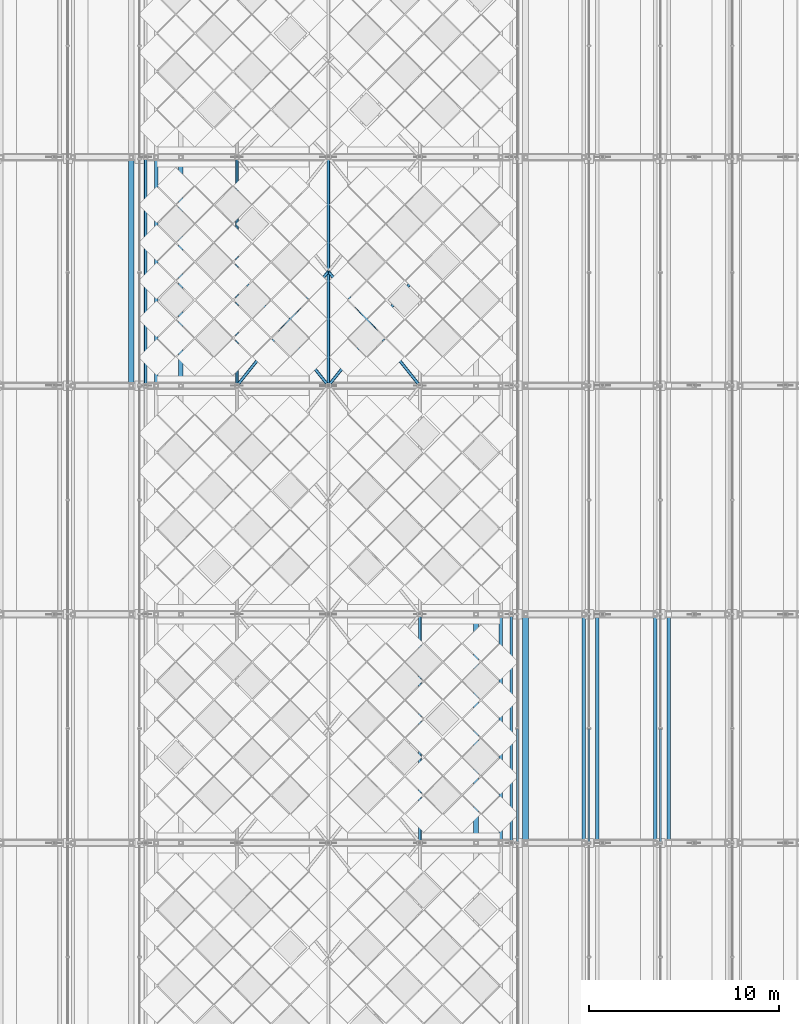
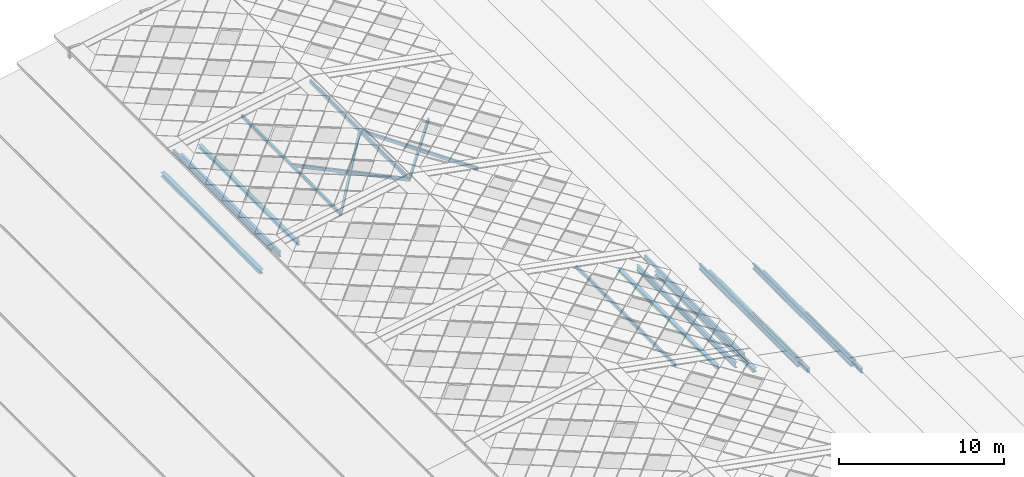
# One storey, part 26 of 117: 25 members, 3 elements without a shape of their own.
"""IFC4 building model written with IfcOpenShell, lengths in metres."""

from ifc_helpers import new_model, si_unit, direction, frame, origin, origin_2d, place, context, subcontext, project, spatial, hollow_rectangle, i_section, extrude, material, material_profile, profile_set, type_object, element, aggregate, save


model = new_model("IFC4")

# Units and contexts
model_context = context("Model", 3, precision=1e-05, world=origin(), true_north=direction((0.0, 1.0)))
body_context = subcontext(model_context, "Body", "Model", "MODEL_VIEW")
ifc_project = project(units=[si_unit("LENGTHUNIT", "METRE"), si_unit("AREAUNIT", "SQUARE_METRE"), si_unit("VOLUMEUNIT", "CUBIC_METRE"), si_unit("PLANEANGLEUNIT", "RADIAN"), si_unit("MASSUNIT", "GRAM", prefix="KILO")], contexts=[model_context])

# Site, building, storey
site_placement = place(None, origin())
site = spatial("IfcSite", under=ifc_project, at=site_placement, CompositionType="ELEMENT")
building_placement = place(site_placement, origin())
building = spatial("IfcBuilding", under=site, at=building_placement, Name="Merenkruunu Market Hall", CompositionType="ELEMENT")
storey_placement = place(building_placement, frame((0.0, 0.0, 22.800048828125)))
storey = spatial("IfcBuildingStorey", under=building, at=storey_placement, Name="RF", CompositionType="ELEMENT", Elevation=22.800048828125)

# Curtain wall, members
ifc_material_1 = material(Name="Powder-coated aluminium", Category="aluminium")
curtain_wall_type = type_object("IfcCurtainWallType", Name="Clerestory Curtain Band CL05", PredefinedType="USERDEFINED", material=ifc_material_1)
curtain_wall_1_placement = place(storey_placement, origin())
curtain_wall_1 = element("IfcCurtainWall", 1, at=curtain_wall_1_placement, inside=storey, type_object=curtain_wall_type, Name="CW-RF-CWM04-102", ObjectType="CLERESTORY_BAND", PredefinedType="USERDEFINED")
ifc_material_profile_1 = material_profile(ifc_material_1, hollow_rectangle(XDim=0.06005859375, YDim=0.110107421875, WallThickness=0.00390625, at=origin_2d()), Name="ALU 60x110x4")
ifc_profile_set_1 = profile_set([ifc_material_profile_1], Name="Powder-coated aluminium")
member_type_1 = type_object("IfcMemberType", Name="Curtain Wall Transom CWT03", PredefinedType="USERDEFINED", material=ifc_profile_set_1)
member_1_placement = place(storey_placement, frame((46.239990234375, 69.56494140625, -3.85205078125), z_axis=(0.0, -1.0, 0.0), x_axis=(0.0, 0.0, 1.0)))
member_1 = element("IfcMember", 2, at=member_1_placement, type_object=member_type_1, Name="CL05 transom 4.1", ObjectType="TRANSOM", PredefinedType="USERDEFINED", context=body_context, shape_type="SweptSolid", body=[
    extrude(hollow_rectangle(XDim=0.06005859375, YDim=0.110107421875, WallThickness=0.00390625, at=origin_2d()), origin(), (0.0, 0.0, 1.0), 5.89501953125),
])
member_2_placement = place(storey_placement, frame((46.239990234375, 69.56494140625, -3.56396484375), z_axis=(0.0, -1.0, 0.0), x_axis=(0.0, 0.0, 1.0)))
member_2 = element("IfcMember", 3, at=member_2_placement, type_object=member_type_1, Name="CL05 transom 4.2", ObjectType="TRANSOM", PredefinedType="USERDEFINED", context=body_context, shape_type="SweptSolid", body=[
    extrude(hollow_rectangle(XDim=0.06005859375, YDim=0.110107421875, WallThickness=0.00390625, at=origin_2d()), origin(), (0.0, 0.0, 1.0), 5.89501953125),
])
aggregate(curtain_wall_1, [member_1, member_2])

curtain_wall_2_placement = place(storey_placement, origin())
curtain_wall_2 = element("IfcCurtainWall", 4, at=curtain_wall_2_placement, inside=storey, type_object=curtain_wall_type, Name="CW-RF-CWM04-110", ObjectType="CLERESTORY_BAND", PredefinedType="USERDEFINED")
member_3_placement = place(storey_placement, frame((42.47998046875, 69.56494140625, -2.531982421875), z_axis=(0.0, -1.0, 0.0), x_axis=(0.0, 0.0, 1.0)))
member_3 = element("IfcMember", 5, at=member_3_placement, type_object=member_type_1, Name="CL05 transom 4.1", ObjectType="TRANSOM", PredefinedType="USERDEFINED", context=body_context, shape_type="SweptSolid", body=[
    extrude(hollow_rectangle(XDim=0.06005859375, YDim=0.110107421875, WallThickness=0.00390625, at=origin_2d()), origin(), (0.0, 0.0, 1.0), 5.89501953125),
])
member_4_placement = place(storey_placement, frame((42.47998046875, 69.56494140625, -2.26513671875), z_axis=(0.0, -1.0, 0.0), x_axis=(0.0, 0.0, 1.0)))
member_4 = element("IfcMember", 6, at=member_4_placement, type_object=member_type_1, Name="CL05 transom 4.2", ObjectType="TRANSOM", PredefinedType="USERDEFINED", context=body_context, shape_type="SweptSolid", body=[
    extrude(hollow_rectangle(XDim=0.06005859375, YDim=0.110107421875, WallThickness=0.00390625, at=origin_2d()), origin(), (0.0, 0.0, 1.0), 5.89501953125),
])
aggregate(curtain_wall_2, [member_3, member_4])

curtain_wall_3_placement = place(storey_placement, origin())
curtain_wall_3 = element("IfcCurtainWall", 7, at=curtain_wall_3_placement, inside=storey, type_object=curtain_wall_type, Name="CW-RF-CWM04-118", ObjectType="CLERESTORY_BAND", PredefinedType="USERDEFINED")
member_5_placement = place(storey_placement, frame((38.719970703125, 69.56494140625, -1.212158203125), z_axis=(0.0, -1.0, 0.0), x_axis=(0.0, 0.0, 1.0)))
member_5 = element("IfcMember", 8, at=member_5_placement, type_object=member_type_1, Name="CL05 transom 4.1", ObjectType="TRANSOM", PredefinedType="USERDEFINED", context=body_context, shape_type="SweptSolid", body=[
    extrude(hollow_rectangle(XDim=0.06005859375, YDim=0.110107421875, WallThickness=0.00390625, at=origin_2d()), origin(), (0.0, 0.0, 1.0), 5.89501953125),
])
member_6_placement = place(storey_placement, frame((38.719970703125, 69.56494140625, -0.924072265625), z_axis=(0.0, -1.0, 0.0), x_axis=(0.0, 0.0, 1.0)))
member_6 = element("IfcMember", 9, at=member_6_placement, type_object=member_type_1, Name="CL05 transom 4.2", ObjectType="TRANSOM", PredefinedType="USERDEFINED", context=body_context, shape_type="SweptSolid", body=[
    extrude(hollow_rectangle(XDim=0.06005859375, YDim=0.110107421875, WallThickness=0.00390625, at=origin_2d()), origin(), (0.0, 0.0, 1.0), 5.89501953125),
])
aggregate(curtain_wall_3, [member_5, member_6])

# Members
ifc_material_2 = material(Name="Steel S355ML", Category="steel")
ifc_material_profile_2 = material_profile(ifc_material_2, i_section(OverallWidth=0.169921875, OverallDepth=0.360107421875, WebThickness=0.008056640625, FlangeThickness=0.0126953125, FilletRadius=0.01806640625, at=origin_2d()), Name="IPE 360")
ifc_profile_set_2 = profile_set([ifc_material_profile_2], Name="Steel S355ML")
member_type_2 = type_object("IfcMemberType", Name="Roof Purlin Rafter PR03", PredefinedType="PURLIN", material=ifc_profile_set_2)
member_7_placement = place(storey_placement, frame((46.669921875, 63.60009765625, -4.452392578125), z_axis=(0.0, 1.0, 0.0), x_axis=(-1.0, 0.0, 0.0)))
element("IfcMember", 10, at=member_7_placement, inside=storey, type_object=member_type_2, Name="MEM-RF-PURL-E-090", PredefinedType="PURLIN", context=body_context, shape_type="SweptSolid", body=[
    extrude(i_section(OverallWidth=0.169921875, OverallDepth=0.360107421875, WebThickness=0.008056640625, FlangeThickness=0.0126953125, FilletRadius=0.01806640625, at=origin_2d()), origin(), (0.0, 0.0, 1.0), 12.0),
])
ifc_material_profile_3 = material_profile(ifc_material_2, hollow_rectangle(XDim=0.14990234375, YDim=0.25, WallThickness=0.010009765625, InnerFilletRadius=0.010009765625, OuterFilletRadius=0.02001953125, at=origin_2d()), Name="RHS 250x150x10")
ifc_profile_set_3 = profile_set([ifc_material_profile_3], Name="Steel S355ML")
member_type_3 = type_object("IfcMemberType", Name="Roof Purlin Rafter PR04", PredefinedType="PURLIN", material=ifc_profile_set_3)
for number, where, z_axis, x_axis, name in (
    (11, (38.39990234375, 63.60009765625, -0.35546875), (0.0, 1.0, 0.0), (-1.0, 0.0, 0.0), "MEM-CROWN-EAVE-060"),
    (12, (33.60009765625, 63.60009765625, 0.546875), (0.0, 1.0, 0.0), (-1.0, 0.0, 0.0), "MEM-CROWN-MID-061"),
    (13, (19.199951171875, 87.60009765625, -0.35546875), (0.0, 1.0, 0.0), (-1.0, 0.0, 0.0), "MEM-CROWN-EAVE-080"),
    (14, (24.0, 87.60009765625, 0.546875), (0.0, 1.0, 0.0), (-1.0, 0.0, 0.0), "MEM-CROWN-MID-081"),
):
    element("IfcMember", number, at=place(storey_placement, frame(where, z_axis=z_axis, x_axis=x_axis)), inside=storey, type_object=member_type_3, Name=name, PredefinedType="PURLIN", context=body_context, shape_type="SweptSolid", body=[
        extrude(hollow_rectangle(XDim=0.14990234375, YDim=0.25, WallThickness=0.010009765625, InnerFilletRadius=0.010009765625, OuterFilletRadius=0.02001953125, at=origin_2d()), origin(), (0.0, 0.0, 1.0), 12.0),
    ])
for number, where, z_axis, x_axis, name in (
    (15, (24.0, 87.60009765625, 0.546875), (0.620665210201, 0.775823620665, 0.11345662812), (-0.780865709579, 0.624698922365, 0.0), "MEM-CROWN-DIAG-082"),
    (16, (28.800048828125, 87.60009765625, 1.42431640625), (-0.620665210201, 0.775823620665, -0.11345662812), (-0.780865709579, -0.624698922365, 0.0), "MEM-CROWN-DIAG-083"),
    (17, (33.60009765625, 87.60009765625, 0.546875), (-0.620665210201, 0.775823620665, 0.11345662812), (-0.780865709579, -0.624698922365, 0.0), "MEM-CROWN-DIAG-088"),
    (18, (28.800048828125, 87.60009765625, 1.42431640625), (0.620665210201, 0.775823620665, -0.11345662812), (-0.780865709579, 0.624698922365, 0.0), "MEM-CROWN-DIAG-089"),
):
    element("IfcMember", number, at=place(storey_placement, frame(where, z_axis=z_axis, x_axis=x_axis)), inside=storey, type_object=member_type_3, Name=name, PredefinedType="PURLIN", context=body_context, shape_type="SweptSolid", body=[
        extrude(hollow_rectangle(XDim=0.14990234375, YDim=0.25, WallThickness=0.010009765625, InnerFilletRadius=0.010009765625, OuterFilletRadius=0.02001953125, at=origin_2d()), origin(), (0.0, 0.0, 1.0), 7.733642578125),
    ])
ifc_material_profile_4 = material_profile(ifc_material_2, hollow_rectangle(XDim=0.14990234375, YDim=0.300048828125, WallThickness=0.012451171875, InnerFilletRadius=0.012451171875, OuterFilletRadius=0.02490234375, at=origin_2d()), Name="RHS 300x150x12.5")
ifc_profile_set_4 = profile_set([ifc_material_profile_4], Name="Steel S355ML")
member_type_4 = type_object("IfcMemberType", Name="Roof Purlin Rafter PR05", PredefinedType="PURLIN", material=ifc_profile_set_4)
member_8_placement = place(storey_placement, frame((28.800048828125, 87.60009765625, 1.42431640625), z_axis=(0.0, 1.0, 0.0), x_axis=(-1.0, 0.0, 0.0)))
element("IfcMember", 19, at=member_8_placement, inside=storey, type_object=member_type_4, Name="MEM-CROWN-RIDGE-079", PredefinedType="PURLIN", context=body_context, shape_type="SweptSolid", body=[
    extrude(hollow_rectangle(XDim=0.14990234375, YDim=0.300048828125, WallThickness=0.012451171875, InnerFilletRadius=0.012451171875, OuterFilletRadius=0.02490234375, at=origin_2d()), origin(), (0.0, 0.0, 1.0), 12.0),
])
ifc_material_profile_5 = material_profile(ifc_material_2, hollow_rectangle(XDim=0.199951171875, YDim=0.35009765625, WallThickness=0.012451171875, InnerFilletRadius=0.012451171875, OuterFilletRadius=0.02490234375, at=origin_2d()), Name="RHS 350x200x12.5")
ifc_profile_set_5 = profile_set([ifc_material_profile_5], Name="Steel S355ML")
member_type_5 = type_object("IfcMemberType", Name="Roof Purlin Rafter PR06", PredefinedType="PURLIN", material=ifc_profile_set_5)
member_9_placement = place(storey_placement, frame((42.909912109375, 63.60009765625, -3.10986328125), z_axis=(0.0, 1.0, 0.0), x_axis=(-1.0, 0.0, 0.0)))
element("IfcMember", 20, at=member_9_placement, inside=storey, type_object=member_type_5, Name="MEM-RF-PURL-E-122", PredefinedType="PURLIN", context=body_context, shape_type="SweptSolid", body=[
    extrude(hollow_rectangle(XDim=0.199951171875, YDim=0.35009765625, WallThickness=0.012451171875, InnerFilletRadius=0.012451171875, OuterFilletRadius=0.02490234375, at=origin_2d()), origin(), (0.0, 0.0, 1.0), 12.0),
])
ifc_material_profile_6 = material_profile(ifc_material_2, i_section(OverallWidth=0.300048828125, OverallDepth=0.2900390625, WebThickness=0.008544921875, FlangeThickness=0.013916015625, FilletRadius=0.027099609375, at=origin_2d()), Name="HEA 300")
ifc_profile_set_6 = profile_set([ifc_material_profile_6], Name="Steel S355ML")
member_type_6 = type_object("IfcMemberType", Name="Roof Purlin Rafter PR07", PredefinedType="PURLIN", material=ifc_profile_set_6)
for number, where, z_axis, x_axis, name in (
    (21, (39.14990234375, 63.60009765625, -1.789306640625), (0.0, 1.0, 0.0), (-1.0, 0.0, 0.0), "MEM-RF-PURL-E-154"),
    (22, (18.449951171875, 87.60009765625, -1.789306640625), (0.0, 1.0, 0.0), (-1.0, 0.0, 0.0), "MEM-RF-PURL-W-157"),
):
    element("IfcMember", number, at=place(storey_placement, frame(where, z_axis=z_axis, x_axis=x_axis)), inside=storey, type_object=member_type_6, Name=name, PredefinedType="PURLIN", context=body_context, shape_type="SweptSolid", body=[
        extrude(i_section(OverallWidth=0.300048828125, OverallDepth=0.2900390625, WebThickness=0.008544921875, FlangeThickness=0.013916015625, FilletRadius=0.027099609375, at=origin_2d()), origin(), (0.0, 0.0, 1.0), 12.0),
    ])
ifc_material_profile_7 = material_profile(ifc_material_2, i_section(OverallWidth=0.239990234375, OverallDepth=0.22998046875, WebThickness=0.007568359375, FlangeThickness=0.011962890625, FilletRadius=0.02099609375, at=origin_2d()), Name="HEA 240")
ifc_profile_set_7 = profile_set([ifc_material_profile_7], Name="Steel S355ML")
member_type_7 = type_object("IfcMemberType", Name="Roof Purlin Rafter PR08", PredefinedType="PURLIN", material=ifc_profile_set_7)
for number, where, z_axis, x_axis, name in (
    (23, (36.550048828125, 63.60009765625, -0.62841796875), (0.0, 1.0, 0.0), (-1.0, 0.0, 0.0), "MEM-RF-PURL-E-186"),
    (24, (21.050048828125, 87.60009765625, -0.62841796875), (0.0, 1.0, 0.0), (-1.0, 0.0, 0.0), "MEM-RF-PURL-W-189"),
):
    element("IfcMember", number, at=place(storey_placement, frame(where, z_axis=z_axis, x_axis=x_axis)), inside=storey, type_object=member_type_7, Name=name, PredefinedType="PURLIN", context=body_context, shape_type="SweptSolid", body=[
        extrude(i_section(OverallWidth=0.239990234375, OverallDepth=0.22998046875, WebThickness=0.007568359375, FlangeThickness=0.011962890625, FilletRadius=0.02099609375, at=origin_2d()), origin(), (0.0, 0.0, 1.0), 12.0),
    ])
ifc_material_profile_8 = material_profile(ifc_material_2, i_section(OverallWidth=0.179931640625, OverallDepth=0.39990234375, WebThickness=0.008544921875, FlangeThickness=0.013427734375, FilletRadius=0.02099609375, at=origin_2d()), Name="IPE 400")
ifc_profile_set_8 = profile_set([ifc_material_profile_8], Name="Steel S355ML")
member_type_8 = type_object("IfcMemberType", Name="Roof Purlin Rafter PR09", PredefinedType="PURLIN", material=ifc_profile_set_8)
for number, where, z_axis, x_axis, name in (
    (25, (45.969970703125, 63.60009765625, -3.699951171875), (0.0, 1.0, 0.0), (-1.0, 0.0, 0.0), "MEM-RF-PURL-E-106"),
    (26, (42.2099609375, 63.60009765625, -2.400390625), (0.0, 1.0, 0.0), (-1.0, 0.0, 0.0), "MEM-RF-PURL-E-138"),
    (27, (37.840087890625, 63.60009765625, -0.947021484375), (0.0, 1.0, 0.0), (-1.0, 0.0, 0.0), "MEM-RF-PURL-E-170"),
    (28, (19.760009765625, 87.60009765625, -0.947021484375), (0.0, 1.0, 0.0), (-1.0, 0.0, 0.0), "MEM-RF-PURL-W-173"),
):
    element("IfcMember", number, at=place(storey_placement, frame(where, z_axis=z_axis, x_axis=x_axis)), inside=storey, type_object=member_type_8, Name=name, PredefinedType="PURLIN", context=body_context, shape_type="SweptSolid", body=[
        extrude(i_section(OverallWidth=0.179931640625, OverallDepth=0.39990234375, WebThickness=0.008544921875, FlangeThickness=0.013427734375, FilletRadius=0.02099609375, at=origin_2d()), origin(), (0.0, 0.0, 1.0), 12.0),
    ])

save(model, "model.ifc")
